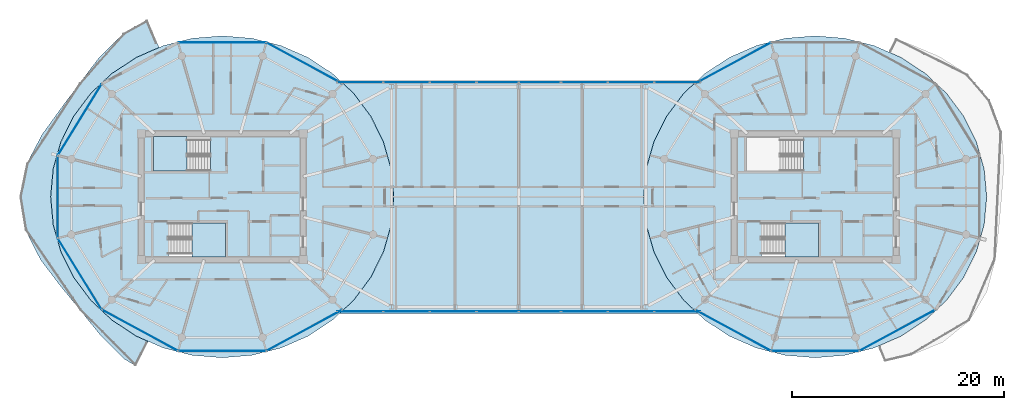
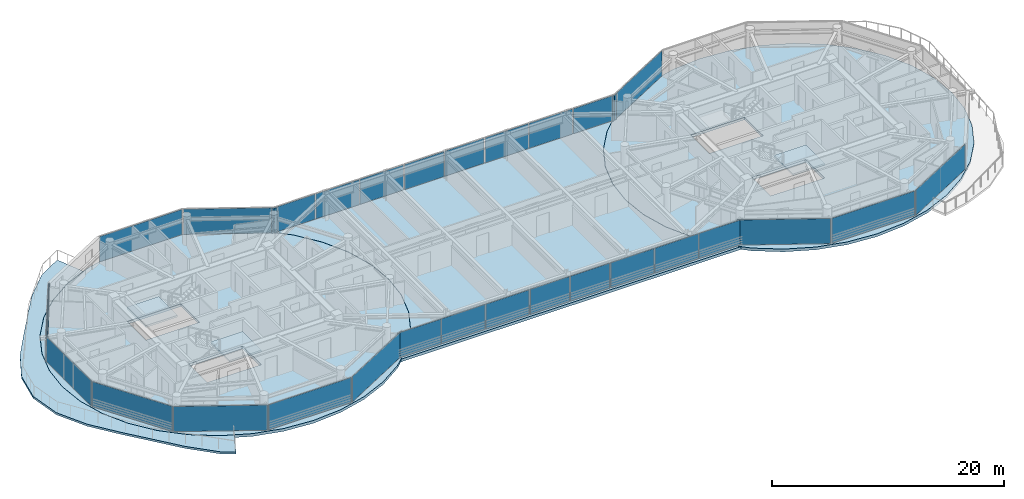
# One storey, part 12 of 23: 28 plates, 7 slabs, 21 elements without a shape of their own.
"""IFC4 building model written with IfcOpenShell, lengths in metres."""

from ifc_helpers import new_model, si_unit, direction, frame, origin, origin_2d, place, context, subcontext, project, spatial, polyline, rectangle, outline, extrude, source, transform, mapped, material, layer, layer_set, type_object, type_shapes, element, aggregate, save


model = new_model("IFC4")

# Units and contexts
model_context = context("Model", 3, precision=1e-05, world=origin(), true_north=direction((0.0, 1.0)))
body_context = subcontext(model_context, "Body", "Model", "MODEL_VIEW")
ifc_project = project(units=[si_unit("LENGTHUNIT", "METRE"), si_unit("AREAUNIT", "SQUARE_METRE"), si_unit("VOLUMEUNIT", "CUBIC_METRE"), si_unit("PLANEANGLEUNIT", "RADIAN"), si_unit("MASSUNIT", "GRAM", prefix="KILO")], contexts=[model_context])

# Site, building, storey
site_placement = place(None, origin())
site = spatial("IfcSite", under=ifc_project, at=site_placement, CompositionType="ELEMENT")
building_placement = place(site_placement, origin())
building = spatial("IfcBuilding", under=site, at=building_placement, Name="Norrkilde Senior Care Towers", CompositionType="ELEMENT")
storey_placement = place(building_placement, frame((0.0, 0.0, 207.800048828125)))
storey = spatial("IfcBuildingStorey", under=building, at=storey_placement, Name="L64", CompositionType="ELEMENT", Elevation=207.800048828125)

# Slabs
ifc_material_1 = material(Name="Concrete C50/60", Category="concrete")
ifc_layer_1 = layer(ifc_material_1, 0.2900390625)
ifc_layer_set_1 = layer_set([ifc_layer_1], Name="Concrete C50/60")
slab_type_1 = type_object("IfcSlabType", Name="Bridge Floor Slab 290", PredefinedType="FLOOR", material=ifc_layer_set_1)
slab_1_placement = place(storey_placement, frame((0.0, 0.0, -0.2900390625)))
element("IfcSlab", 1, at=slab_1_placement, inside=storey, type_object=slab_type_1, Name="L64 Drum W Structural Floor Slab", PredefinedType="FLOOR", context=body_context, shape_type="SweptSolid", body=[
    extrude(outline(polyline([(-12.777099609375, -5.19873046875), (-13.970458984375, -7.60009765625), (-15.590087890625, -9.770263671875), (-17.5869140625, -11.643798828125), (-19.89990234375, -13.16357421875), (-22.459228515625, -14.283447265625), (-25.18701171875, -14.968994140625), (-28.0, -15.199951171875), (-30.81298828125, -14.968994140625), (-33.540771484375, -14.283447265625), (-36.10009765625, -13.16357421875), (-38.4130859375, -11.643798828125), (-40.409912109375, -9.770263671875), (-42.029541015625, -7.60009765625), (-43.222900390625, -5.19873046875), (-43.953857421875, -2.639404296875), (-44.199951171875, 0.0), (-43.953857421875, 2.639404296875), (-43.222900390625, 5.19873046875), (-42.029541015625, 7.60009765625), (-40.409912109375, 9.770263671875), (-38.4130859375, 11.643798828125), (-36.10009765625, 13.16357421875), (-33.540771484375, 14.283447265625), (-30.81298828125, 14.968994140625), (-28.0, 15.199951171875), (-25.18701171875, 14.968994140625), (-22.459228515625, 14.283447265625), (-19.89990234375, 13.16357421875), (-17.5869140625, 11.643798828125), (-15.590087890625, 9.770263671875), (-13.970458984375, 7.60009765625), (-12.777099609375, 5.19873046875), (-12.046142578125, 2.639404296875), (-11.800048828125, 0.0), (-12.046142578125, -2.639404296875), (-12.777099609375, -5.19873046875)]), holes=[polyline([(-34.48193359375, 2.468017578125), (-29.117919921875, 2.468017578125), (-29.117919921875, 5.68994140625), (-34.48193359375, 5.68994140625), (-34.48193359375, 2.468017578125)]), polyline([(-27.718017578125, -5.68994140625), (-27.718017578125, -2.468017578125), (-33.08203125, -2.468017578125), (-33.08203125, -5.68994140625), (-27.718017578125, -5.68994140625)])]), origin(), (0.0, 0.0, 1.0), 0.2900390625),
])
slab_2_placement = place(storey_placement, frame((0.0, 0.0, -0.2900390625)))
element("IfcSlab", 2, at=slab_2_placement, inside=storey, type_object=slab_type_1, Name="L64 Drum E Structural Floor Slab", PredefinedType="FLOOR", context=body_context, shape_type="SweptSolid", body=[
    extrude(outline(polyline([(43.222900390625, -5.19873046875), (42.029541015625, -7.60009765625), (40.409912109375, -9.770263671875), (38.4130859375, -11.643798828125), (36.10009765625, -13.16357421875), (33.540771484375, -14.283447265625), (30.81298828125, -14.968994140625), (28.0, -15.199951171875), (25.18701171875, -14.968994140625), (22.459228515625, -14.283447265625), (19.89990234375, -13.16357421875), (17.5869140625, -11.643798828125), (15.590087890625, -9.770263671875), (13.970458984375, -7.60009765625), (12.777099609375, -5.19873046875), (12.046142578125, -2.639404296875), (11.800048828125, 0.0), (12.046142578125, 2.639404296875), (12.777099609375, 5.19873046875), (13.970458984375, 7.60009765625), (15.590087890625, 9.770263671875), (17.5869140625, 11.643798828125), (19.89990234375, 13.16357421875), (22.459228515625, 14.283447265625), (25.18701171875, 14.968994140625), (28.0, 15.199951171875), (30.81298828125, 14.968994140625), (33.540771484375, 14.283447265625), (36.10009765625, 13.16357421875), (38.4130859375, 11.643798828125), (40.409912109375, 9.770263671875), (42.029541015625, 7.60009765625), (43.222900390625, 5.19873046875), (43.953857421875, 2.639404296875), (44.199951171875, 0.0), (43.953857421875, -2.639404296875), (43.222900390625, -5.19873046875)]), holes=[polyline([(21.51806640625, 2.468017578125), (26.882080078125, 2.468017578125), (26.882080078125, 5.68994140625), (21.51806640625, 5.68994140625), (21.51806640625, 2.468017578125)]), polyline([(28.281982421875, -5.68994140625), (28.281982421875, -2.468017578125), (22.91796875, -2.468017578125), (22.91796875, -5.68994140625), (28.281982421875, -5.68994140625)])]), origin(), (0.0, 0.0, 1.0), 0.2900390625),
])
slab_3_placement = place(storey_placement, frame((0.0, 0.0, -0.2900390625)))
element("IfcSlab", 3, at=slab_3_placement, inside=storey, type_object=slab_type_1, Name="L64 Sky-Gate Bridge Floor Slab", PredefinedType="FLOOR", context=body_context, shape_type="SweptSolid", body=[
    extrude(outline(polyline([(16.893310546875, 11.0), (15.586669921875, 9.77392578125), (15.58642578125, 9.773681640625), (15.586181640625, 9.7734375), (13.96630859375, 7.60302734375), (13.966064453125, 7.6025390625), (13.9658203125, 7.602294921875), (12.7724609375, 5.200927734375), (12.772216796875, 5.200439453125), (12.772216796875, 5.2001953125), (12.041259765625, 2.640869140625), (12.041259765625, 2.640380859375), (12.041015625, 2.639892578125), (11.794921875, 0.00048828125), (11.794921875, 0.0), (11.794921875, -0.00048828125), (12.041015625, -2.639892578125), (12.041259765625, -2.640380859375), (12.041259765625, -2.640869140625), (12.772216796875, -5.2001953125), (12.772216796875, -5.200439453125), (12.7724609375, -5.200927734375), (13.9658203125, -7.602294921875), (13.966064453125, -7.6025390625), (13.96630859375, -7.60302734375), (15.586181640625, -9.7734375), (15.58642578125, -9.773681640625), (15.586669921875, -9.77392578125), (16.893310546875, -11.0), (-16.893310546875, -11.0), (-15.586669921875, -9.77392578125), (-15.58642578125, -9.773681640625), (-15.586181640625, -9.7734375), (-13.96630859375, -7.60302734375), (-13.966064453125, -7.6025390625), (-13.9658203125, -7.602294921875), (-12.7724609375, -5.200927734375), (-12.772216796875, -5.200439453125), (-12.772216796875, -5.2001953125), (-12.041259765625, -2.640869140625), (-12.041259765625, -2.640380859375), (-12.041015625, -2.639892578125), (-11.794921875, -0.00048828125), (-11.794921875, 0.0), (-11.794921875, 0.00048828125), (-12.041015625, 2.639892578125), (-12.041259765625, 2.640380859375), (-12.041259765625, 2.640869140625), (-12.772216796875, 5.2001953125), (-12.772216796875, 5.200439453125), (-12.7724609375, 5.200927734375), (-13.9658203125, 7.602294921875), (-13.966064453125, 7.6025390625), (-13.96630859375, 7.60302734375), (-15.586181640625, 9.7734375), (-15.58642578125, 9.773681640625), (-15.586669921875, 9.77392578125), (-16.893310546875, 11.0), (16.893310546875, 11.0)])), origin(), (0.0, 0.0, 1.0), 0.2900390625),
])
ifc_layer_2 = layer(ifc_material_1, 0.215087890625)
ifc_layer_set_2 = layer_set([ifc_layer_2], Name="Concrete C50/60")
slab_type_2 = type_object("IfcSlabType", Name="Sinusoidal Balcony Ribbon Slab 215", PredefinedType="FLOOR", material=ifc_layer_set_2)
slab_4_placement = place(storey_placement, frame((0.0, 0.0, -0.215087890625)))
element("IfcSlab", 4, at=slab_4_placement, inside=storey, type_object=slab_type_2, Name="L64 Drum W Swirling Senior Balcony 1", PredefinedType="FLOOR", context=body_context, shape_type="SweptSolid", body=[
    extrude(outline(polyline([(-41.433349609375, -10.685546875), (-43.305419921875, -8.385009765625), (-45.15380859375, -5.94775390625), (-46.59033203125, -3.135009765625), (-47.095703125, 0.0), (-46.46826171875, 3.112060546875), (-45.005126953125, 5.889892578125), (-43.236328125, 8.342529296875), (-41.474609375, 10.72265625), (-39.611572265625, 13.166259765625), (-37.3291015625, 15.4326171875), (-35.064697265625, 16.69775390625), (-33.966552734375, 14.1025390625), (-36.1025390625, 13.16796875), (-38.416259765625, 11.647705078125), (-40.413818359375, 9.773681640625), (-42.033935546875, 7.6025390625), (-43.227783203125, 5.200439453125), (-43.958740234375, 2.640380859375), (-44.205078125, 0.0), (-43.958740234375, -2.640380859375), (-43.227783203125, -5.200439453125), (-42.033935546875, -7.6025390625), (-40.413818359375, -9.773681640625), (-38.416259765625, -11.647705078125), (-36.1025390625, -13.16796875), (-34.976806640625, -13.660400390625), (-36.15966796875, -15.97607421875), (-37.26220703125, -15.309326171875), (-39.517578125, -13.046630859375), (-41.433349609375, -10.685546875)])), origin(), (0.0, 0.0, 1.0), 0.215087890625),
])

# Stair, slab
ifc_material_2 = material(Name="Concrete C45/55", Category="concrete")
stair_type = type_object("IfcStairType", Name="Core Protected Dogleg Stair Typical 3050", PredefinedType="HALF_TURN_STAIR", material=ifc_material_2)
stair_1_placement = place(storey_placement, origin())
stair_1 = element("IfcStair", 5, at=stair_1_placement, inside=storey, type_object=stair_type, Name="L64 Protected Core Stair W1", PredefinedType="HALF_TURN_STAIR")
ifc_layer_3 = layer(ifc_material_2, 0.199951171875)
ifc_layer_set_3 = layer_set([ifc_layer_3], Name="Concrete C45/55")
slab_type_3 = type_object("IfcSlabType", Name="Stair Landing Slab 200", PredefinedType="LANDING", material=ifc_layer_set_3)
slab_5_placement = place(storey_placement, frame((0.0, 0.0, 1.324951171875)))
slab_5 = element("IfcSlab", 6, at=slab_5_placement, type_object=slab_type_3, Name="ST-W1 landing 1", PredefinedType="LANDING", context=body_context, shape_type="SweptSolid", body=[
    extrude(outline(polyline([(-31.340087890625, 5.68994140625), (-34.5, 5.68994140625), (-34.5, 2.449951171875), (-31.340087890625, 2.449951171875), (-31.340087890625, 5.68994140625)])), origin(), (0.0, 0.0, 1.0), 0.199951171875),
])
aggregate(stair_1, [slab_5])

stair_2_placement = place(storey_placement, origin())
stair_2 = element("IfcStair", 7, at=stair_2_placement, inside=storey, type_object=stair_type, Name="L64 Protected Core Stair W2", PredefinedType="HALF_TURN_STAIR")
slab_6_placement = place(storey_placement, frame((0.0, 0.0, 1.324951171875)))
slab_6 = element("IfcSlab", 8, at=slab_6_placement, type_object=slab_type_3, Name="ST-W2 landing 1", PredefinedType="LANDING", context=body_context, shape_type="SweptSolid", body=[
    extrude(outline(polyline([(-30.860107421875, -5.68994140625), (-27.699951171875, -5.68994140625), (-27.699951171875, -2.449951171875), (-30.860107421875, -2.449951171875), (-30.860107421875, -5.68994140625)])), origin(), (0.0, 0.0, 1.0), 0.199951171875),
])
aggregate(stair_2, [slab_6])

stair_3_placement = place(storey_placement, origin())
stair_3 = element("IfcStair", 9, at=stair_3_placement, inside=storey, type_object=stair_type, Name="L64 Protected Core Stair E2", PredefinedType="HALF_TURN_STAIR")
slab_7_placement = place(storey_placement, frame((0.0, 0.0, 1.324951171875)))
slab_7 = element("IfcSlab", 10, at=slab_7_placement, type_object=slab_type_3, Name="ST-E2 landing 1", PredefinedType="LANDING", context=body_context, shape_type="SweptSolid", body=[
    extrude(outline(polyline([(25.139892578125, -5.68994140625), (28.300048828125, -5.68994140625), (28.300048828125, -2.449951171875), (25.139892578125, -2.449951171875), (25.139892578125, -5.68994140625)])), origin(), (0.0, 0.0, 1.0), 0.199951171875),
])
aggregate(stair_3, [slab_7])

# Curtain wall, plate
ifc_material_3 = material(Name="Triple Low-E Insulated Glazing", Category="glass")
ifc_layer_4 = layer(ifc_material_3, 0.18505859375)
ifc_layer_set_4 = layer_set([ifc_layer_4], Name="Triple Low-E Insulated Glazing")
curtain_wall_type_1 = type_object("IfcCurtainWallType", Name="CW6 Zone 4 Crown Pavilion Curtain Wall", PredefinedType="NOTDEFINED", material=ifc_layer_set_4)
curtain_wall_1_placement = place(storey_placement, origin())
curtain_wall_1 = element("IfcCurtainWall", 11, at=curtain_wall_1_placement, inside=storey, type_object=curtain_wall_type_1, Name="L64 Drum W Curtain Wall 04", PredefinedType="NOTDEFINED")
ifc_layer_5 = layer(ifc_material_3, 0.035888671875)
ifc_layer_set_5 = layer_set([ifc_layer_5], Name="Triple Low-E Insulated Glazing")
plate_type = type_object("IfcPlateType", Name="Triple Low-E Vision Curtain Panel 36", PredefinedType="CURTAIN_PANEL", material=ifc_layer_set_5)
shared_shape_1 = source(origin(), body_context, "Body", "SweptSolid", [
    extrude(rectangle(XDim=7.80859375, YDim=0.035888671875, at=origin_2d()), origin(), (0.0, 0.0, 1.0), 2.639892578125),
])
plate_1_placement = place(storey_placement, frame((-41.451171875, 7.282958984375, 0.06005859375), z_axis=(0.0, 0.0, 1.0), x_axis=(0.524252726748, 0.851562727283, 0.0)))
plate_1 = element("IfcPlate", 12, at=plate_1_placement, type_object=plate_type, Name="CW-6 panel 1.1", PredefinedType="CURTAIN_PANEL", context=body_context, shape_type="MappedRepresentation", body=[
    mapped(shared_shape_1, transform((0.0, 0.0, 0.0), x_axis=(1.0, 0.0, 0.0), y_axis=(0.0, 1.0, 0.0), z_axis=(0.0, 0.0, 1.0), scale=1.0)),
])
aggregate(curtain_wall_1, [plate_1])

curtain_wall_2_placement = place(storey_placement, origin())
curtain_wall_2 = element("IfcCurtainWall", 13, at=curtain_wall_2_placement, inside=storey, type_object=curtain_wall_type_1, Name="L64 Drum W Curtain Wall 06", PredefinedType="NOTDEFINED")
plate_2_placement = place(storey_placement, frame((-41.451171875, -7.282958984375, 0.06005859375), z_axis=(0.0, 0.0, 1.0), x_axis=(-0.524252726748, 0.851562727283, 0.0)))
plate_2 = element("IfcPlate", 14, at=plate_2_placement, type_object=plate_type, Name="CW-6 panel 1.1", PredefinedType="CURTAIN_PANEL", context=body_context, shape_type="MappedRepresentation", body=[
    mapped(shared_shape_1, transform((0.0, 0.0, 0.0), x_axis=(1.0, 0.0, 0.0), y_axis=(0.0, 1.0, 0.0), z_axis=(0.0, 0.0, 1.0), scale=1.0)),
])
aggregate(curtain_wall_2, [plate_2])

curtain_wall_3_placement = place(storey_placement, origin())
curtain_wall_3 = element("IfcCurtainWall", 15, at=curtain_wall_3_placement, inside=storey, type_object=curtain_wall_type_1, Name="L64 Drum W Curtain Wall 01", PredefinedType="NOTDEFINED")
shared_shape_2 = source(origin(), body_context, "Body", "SweptSolid", [
    extrude(rectangle(XDim=8.0673828125, YDim=0.035888671875, at=origin_2d()), origin(), (0.0, 0.0, 1.0), 2.639892578125),
])
plate_3_placement = place(storey_placement, frame((-20.23388671875, 12.61474609375, 0.06005859375), z_axis=(0.0, 0.0, 1.0), x_axis=(0.879373455772, -0.476132676136, 0.0)))
plate_3 = element("IfcPlate", 16, at=plate_3_placement, type_object=plate_type, Name="CW-6 panel 1.1", PredefinedType="CURTAIN_PANEL", context=body_context, shape_type="MappedRepresentation", body=[
    mapped(shared_shape_2, transform((0.0, 0.0, 0.0), x_axis=(1.0, 0.0, 0.0), y_axis=(0.0, 1.0, 0.0), z_axis=(0.0, 0.0, 1.0), scale=1.0)),
])
aggregate(curtain_wall_3, [plate_3])

curtain_wall_4_placement = place(storey_placement, origin())
curtain_wall_4 = element("IfcCurtainWall", 17, at=curtain_wall_4_placement, inside=storey, type_object=curtain_wall_type_1, Name="L64 Drum W Curtain Wall 07", PredefinedType="NOTDEFINED")
plate_4_placement = place(storey_placement, frame((-35.76611328125, -12.61474609375, 0.06005859375), z_axis=(0.0, 0.0, 1.0), x_axis=(-0.879373455772, 0.476132676136, 0.0)))
plate_4 = element("IfcPlate", 18, at=plate_4_placement, type_object=plate_type, Name="CW-6 panel 1.1", PredefinedType="CURTAIN_PANEL", context=body_context, shape_type="MappedRepresentation", body=[
    mapped(shared_shape_2, transform((0.0, 0.0, 0.0), x_axis=(1.0, 0.0, 0.0), y_axis=(0.0, 1.0, 0.0), z_axis=(0.0, 0.0, 1.0), scale=1.0)),
])
aggregate(curtain_wall_4, [plate_4])

curtain_wall_5_placement = place(storey_placement, origin())
curtain_wall_5 = element("IfcCurtainWall", 19, at=curtain_wall_5_placement, inside=storey, type_object=curtain_wall_type_1, Name="L64 Drum W Curtain Wall 09", PredefinedType="NOTDEFINED")
plate_5_placement = place(storey_placement, frame((-20.23388671875, -12.61474609375, 0.06005859375), z_axis=(0.0, 0.0, 1.0), x_axis=(-0.879373455772, -0.476132676136, 0.0)))
plate_5 = element("IfcPlate", 20, at=plate_5_placement, type_object=plate_type, Name="CW-6 panel 1.1", PredefinedType="CURTAIN_PANEL", context=body_context, shape_type="MappedRepresentation", body=[
    mapped(shared_shape_2, transform((0.0, 0.0, 0.0), x_axis=(1.0, 0.0, 0.0), y_axis=(0.0, 1.0, 0.0), z_axis=(0.0, 0.0, 1.0), scale=1.0)),
])
aggregate(curtain_wall_5, [plate_5])

curtain_wall_6_placement = place(storey_placement, origin())
curtain_wall_6 = element("IfcCurtainWall", 21, at=curtain_wall_6_placement, inside=storey, type_object=curtain_wall_type_1, Name="L64 Drum E Curtain Wall 03", PredefinedType="NOTDEFINED")
plate_6_placement = place(storey_placement, frame((20.23388671875, 12.61474609375, 0.06005859375), z_axis=(0.0, 0.0, 1.0), x_axis=(0.879373455772, 0.476132676136, 0.0)))
plate_6 = element("IfcPlate", 22, at=plate_6_placement, type_object=plate_type, Name="CW-6 panel 1.1", PredefinedType="CURTAIN_PANEL", context=body_context, shape_type="MappedRepresentation", body=[
    mapped(shared_shape_2, transform((0.0, 0.0, 0.0), x_axis=(1.0, 0.0, 0.0), y_axis=(0.0, 1.0, 0.0), z_axis=(0.0, 0.0, 1.0), scale=1.0)),
])
aggregate(curtain_wall_6, [plate_6])

curtain_wall_7_placement = place(storey_placement, origin())
curtain_wall_7 = element("IfcCurtainWall", 23, at=curtain_wall_7_placement, inside=storey, type_object=curtain_wall_type_1, Name="L64 Drum E Curtain Wall 07", PredefinedType="NOTDEFINED")
plate_7_placement = place(storey_placement, frame((20.23388671875, -12.61474609375, 0.06005859375), z_axis=(0.0, 0.0, 1.0), x_axis=(-0.879373455772, 0.476132676136, 0.0)))
plate_7 = element("IfcPlate", 24, at=plate_7_placement, type_object=plate_type, Name="CW-6 panel 1.1", PredefinedType="CURTAIN_PANEL", context=body_context, shape_type="MappedRepresentation", body=[
    mapped(shared_shape_2, transform((0.0, 0.0, 0.0), x_axis=(1.0, 0.0, 0.0), y_axis=(0.0, 1.0, 0.0), z_axis=(0.0, 0.0, 1.0), scale=1.0)),
])
aggregate(curtain_wall_7, [plate_7])

curtain_wall_8_placement = place(storey_placement, origin())
curtain_wall_8 = element("IfcCurtainWall", 25, at=curtain_wall_8_placement, inside=storey, type_object=curtain_wall_type_1, Name="L64 Drum E Curtain Wall 09", PredefinedType="NOTDEFINED")
plate_8_placement = place(storey_placement, frame((35.76611328125, -12.61474609375, 0.06005859375), z_axis=(0.0, 0.0, 1.0), x_axis=(-0.879373455772, -0.476132676136, 0.0)))
plate_8 = element("IfcPlate", 26, at=plate_8_placement, type_object=plate_type, Name="CW-6 panel 1.1", PredefinedType="CURTAIN_PANEL", context=body_context, shape_type="MappedRepresentation", body=[
    mapped(shared_shape_2, transform((0.0, 0.0, 0.0), x_axis=(1.0, 0.0, 0.0), y_axis=(0.0, 1.0, 0.0), z_axis=(0.0, 0.0, 1.0), scale=1.0)),
])
aggregate(curtain_wall_8, [plate_8])

curtain_wall_9_placement = place(storey_placement, origin())
curtain_wall_9 = element("IfcCurtainWall", 27, at=curtain_wall_9_placement, inside=storey, type_object=curtain_wall_type_1, Name="L64 Drum W Curtain Wall 02", PredefinedType="NOTDEFINED")
shared_shape_3 = source(origin(), body_context, "Body", "SweptSolid", [
    extrude(rectangle(XDim=8.193603515625, YDim=0.035888671875, at=origin_2d()), origin(), (0.0, 0.0, 1.0), 2.639892578125),
])
plate_9_placement = place(storey_placement, frame((-28.0, 14.566162109375, 0.06005859375), z_axis=(0.0, 0.0, 1.0), x_axis=(1.0, 0.0, 0.0)))
plate_9 = element("IfcPlate", 28, at=plate_9_placement, type_object=plate_type, Name="CW-6 panel 1.1", PredefinedType="CURTAIN_PANEL", context=body_context, shape_type="MappedRepresentation", body=[
    mapped(shared_shape_3, transform((0.0, 0.0, 0.0), x_axis=(1.0, 0.0, 0.0), y_axis=(0.0, 1.0, 0.0), z_axis=(0.0, 0.0, 1.0), scale=1.0)),
])
aggregate(curtain_wall_9, [plate_9])

curtain_wall_10_placement = place(storey_placement, origin())
curtain_wall_10 = element("IfcCurtainWall", 29, at=curtain_wall_10_placement, inside=storey, type_object=curtain_wall_type_1, Name="L64 Drum W Curtain Wall 08", PredefinedType="NOTDEFINED")
plate_10_placement = place(storey_placement, frame((-28.0, -14.566162109375, 0.06005859375), z_axis=(0.0, 0.0, 1.0), x_axis=(-1.0, 0.0, 0.0)))
plate_10 = element("IfcPlate", 30, at=plate_10_placement, type_object=plate_type, Name="CW-6 panel 1.1", PredefinedType="CURTAIN_PANEL", context=body_context, shape_type="MappedRepresentation", body=[
    mapped(shared_shape_3, transform((0.0, 0.0, 0.0), x_axis=(1.0, 0.0, 0.0), y_axis=(0.0, 1.0, 0.0), z_axis=(0.0, 0.0, 1.0), scale=1.0)),
])
aggregate(curtain_wall_10, [plate_10])

curtain_wall_11_placement = place(storey_placement, origin())
curtain_wall_11 = element("IfcCurtainWall", 31, at=curtain_wall_11_placement, inside=storey, type_object=curtain_wall_type_1, Name="L64 Drum E Curtain Wall 08", PredefinedType="NOTDEFINED")
plate_11_placement = place(storey_placement, frame((28.0, -14.566162109375, 0.06005859375), z_axis=(0.0, 0.0, 1.0), x_axis=(-1.0, 0.0, 0.0)))
plate_11 = element("IfcPlate", 32, at=plate_11_placement, type_object=plate_type, Name="CW-6 panel 1.1", PredefinedType="CURTAIN_PANEL", context=body_context, shape_type="MappedRepresentation", body=[
    mapped(shared_shape_3, transform((0.0, 0.0, 0.0), x_axis=(1.0, 0.0, 0.0), y_axis=(0.0, 1.0, 0.0), z_axis=(0.0, 0.0, 1.0), scale=1.0)),
])
aggregate(curtain_wall_11, [plate_11])

curtain_wall_12_placement = place(storey_placement, origin())
curtain_wall_12 = element("IfcCurtainWall", 33, at=curtain_wall_12_placement, inside=storey, type_object=curtain_wall_type_1, Name="L64 Drum W Curtain Wall 05", PredefinedType="NOTDEFINED")
shared_shape_4 = source(origin(), body_context, "Body", "SweptSolid", [
    extrude(rectangle(XDim=7.676025390625, YDim=0.035888671875, at=origin_2d()), origin(), (0.0, 0.0, 1.0), 2.639892578125),
])
plate_12_placement = place(storey_placement, frame((-43.531982421875, 0.0, 0.06005859375), z_axis=(0.0, 0.0, 1.0), x_axis=(0.0, 1.0, 0.0)))
plate_12 = element("IfcPlate", 34, at=plate_12_placement, type_object=plate_type, Name="CW-6 panel 1.1", PredefinedType="CURTAIN_PANEL", context=body_context, shape_type="MappedRepresentation", body=[
    mapped(shared_shape_4, transform((0.0, 0.0, 0.0), x_axis=(1.0, 0.0, 0.0), y_axis=(0.0, 1.0, 0.0), z_axis=(0.0, 0.0, 1.0), scale=1.0)),
])
aggregate(curtain_wall_12, [plate_12])

# Curtain wall, plates
ifc_layer_6 = layer(ifc_material_3, 0.2099609375)
ifc_layer_set_6 = layer_set([ifc_layer_6], Name="Triple Low-E Insulated Glazing")
curtain_wall_type_2 = type_object("IfcCurtainWallType", Name="CW5 Sky-Gate Bridge Curtain Wall", PredefinedType="NOTDEFINED", material=ifc_layer_set_6)
curtain_wall_13_placement = place(storey_placement, origin())
curtain_wall_13 = element("IfcCurtainWall", 35, at=curtain_wall_13_placement, inside=storey, type_object=curtain_wall_type_2, Name="L64 Sky-Gate Bridge North Curtain Wall 1", PredefinedType="NOTDEFINED")
shared_shape_5 = source(origin(), body_context, "Body", "SweptSolid", [
    extrude(rectangle(XDim=4.294921875, YDim=0.035888671875, at=origin_2d()), origin(), (0.0, 0.0, 1.0), 2.6298828125),
])
plate_13_placement = place(storey_placement, frame((-14.982421875, 10.820068359375, 0.06494140625), z_axis=(0.0, 0.0, 1.0), x_axis=(1.0, 0.0, 0.0)))
plate_13 = element("IfcPlate", 36, at=plate_13_placement, type_object=plate_type, Name="CW-5 panel 1.1", PredefinedType="CURTAIN_PANEL", context=body_context, shape_type="MappedRepresentation", body=[
    mapped(shared_shape_5, transform((0.0, 0.0, 0.0), x_axis=(1.0, 0.0, 0.0), y_axis=(0.0, 1.0, 0.0), z_axis=(0.0, 0.0, 1.0), scale=1.0)),
])
plate_14_placement = place(storey_placement, frame((-6.217529296875, 10.820068359375, 0.06494140625), z_axis=(0.0, 0.0, 1.0), x_axis=(1.0, 0.0, 0.0)))
plate_14 = element("IfcPlate", 37, at=plate_14_placement, type_object=plate_type, Name="CW-5 panel 3.1", PredefinedType="CURTAIN_PANEL", context=body_context, shape_type="MappedRepresentation", body=[
    mapped(shared_shape_5, transform((0.0, 0.0, 0.0), x_axis=(1.0, 0.0, 0.0), y_axis=(0.0, 1.0, 0.0), z_axis=(0.0, 0.0, 1.0), scale=1.0)),
])

curtain_wall_14_placement = place(storey_placement, origin())
curtain_wall_14 = element("IfcCurtainWall", 38, at=curtain_wall_14_placement, inside=storey, type_object=curtain_wall_type_2, Name="L64 Sky-Gate Bridge North Curtain Wall 3", PredefinedType="NOTDEFINED")
plate_15_placement = place(storey_placement, frame((6.217529296875, 10.820068359375, 0.06494140625), z_axis=(0.0, 0.0, 1.0), x_axis=(1.0, 0.0, 0.0)))
plate_15 = element("IfcPlate", 39, at=plate_15_placement, type_object=plate_type, Name="CW-5 panel 1.1", PredefinedType="CURTAIN_PANEL", context=body_context, shape_type="MappedRepresentation", body=[
    mapped(shared_shape_5, transform((0.0, 0.0, 0.0), x_axis=(1.0, 0.0, 0.0), y_axis=(0.0, 1.0, 0.0), z_axis=(0.0, 0.0, 1.0), scale=1.0)),
])
plate_16_placement = place(storey_placement, frame((14.982421875, 10.820068359375, 0.06494140625), z_axis=(0.0, 0.0, 1.0), x_axis=(1.0, 0.0, 0.0)))
plate_16 = element("IfcPlate", 40, at=plate_16_placement, type_object=plate_type, Name="CW-5 panel 3.1", PredefinedType="CURTAIN_PANEL", context=body_context, shape_type="MappedRepresentation", body=[
    mapped(shared_shape_5, transform((0.0, 0.0, 0.0), x_axis=(1.0, 0.0, 0.0), y_axis=(0.0, 1.0, 0.0), z_axis=(0.0, 0.0, 1.0), scale=1.0)),
])

curtain_wall_15_placement = place(storey_placement, origin())
curtain_wall_15 = element("IfcCurtainWall", 41, at=curtain_wall_15_placement, inside=storey, type_object=curtain_wall_type_2, Name="L64 Sky-Gate Bridge South Curtain Wall 1", PredefinedType="NOTDEFINED")
plate_17_placement = place(storey_placement, frame((14.982421875, -10.820068359375, 0.06494140625), z_axis=(0.0, 0.0, 1.0), x_axis=(-1.0, 0.0, 0.0)))
plate_17 = element("IfcPlate", 42, at=plate_17_placement, type_object=plate_type, Name="CW-5 panel 1.1", PredefinedType="CURTAIN_PANEL", context=body_context, shape_type="MappedRepresentation", body=[
    mapped(shared_shape_5, transform((0.0, 0.0, 0.0), x_axis=(1.0, 0.0, 0.0), y_axis=(0.0, 1.0, 0.0), z_axis=(0.0, 0.0, 1.0), scale=1.0)),
])
plate_18_placement = place(storey_placement, frame((6.217529296875, -10.820068359375, 0.06494140625), z_axis=(0.0, 0.0, 1.0), x_axis=(-1.0, 0.0, 0.0)))
plate_18 = element("IfcPlate", 43, at=plate_18_placement, type_object=plate_type, Name="CW-5 panel 3.1", PredefinedType="CURTAIN_PANEL", context=body_context, shape_type="MappedRepresentation", body=[
    mapped(shared_shape_5, transform((0.0, 0.0, 0.0), x_axis=(1.0, 0.0, 0.0), y_axis=(0.0, 1.0, 0.0), z_axis=(0.0, 0.0, 1.0), scale=1.0)),
])

curtain_wall_16_placement = place(storey_placement, origin())
curtain_wall_16 = element("IfcCurtainWall", 44, at=curtain_wall_16_placement, inside=storey, type_object=curtain_wall_type_2, Name="L64 Sky-Gate Bridge South Curtain Wall 3", PredefinedType="NOTDEFINED")
plate_19_placement = place(storey_placement, frame((-6.217529296875, -10.820068359375, 0.06494140625), z_axis=(0.0, 0.0, 1.0), x_axis=(-1.0, 0.0, 0.0)))
plate_19 = element("IfcPlate", 45, at=plate_19_placement, type_object=plate_type, Name="CW-5 panel 1.1", PredefinedType="CURTAIN_PANEL", context=body_context, shape_type="MappedRepresentation", body=[
    mapped(shared_shape_5, transform((0.0, 0.0, 0.0), x_axis=(1.0, 0.0, 0.0), y_axis=(0.0, 1.0, 0.0), z_axis=(0.0, 0.0, 1.0), scale=1.0)),
])
plate_20_placement = place(storey_placement, frame((-14.982421875, -10.820068359375, 0.06494140625), z_axis=(0.0, 0.0, 1.0), x_axis=(-1.0, 0.0, 0.0)))
plate_20 = element("IfcPlate", 46, at=plate_20_placement, type_object=plate_type, Name="CW-5 panel 3.1", PredefinedType="CURTAIN_PANEL", context=body_context, shape_type="MappedRepresentation", body=[
    mapped(shared_shape_5, transform((0.0, 0.0, 0.0), x_axis=(1.0, 0.0, 0.0), y_axis=(0.0, 1.0, 0.0), z_axis=(0.0, 0.0, 1.0), scale=1.0)),
])

# Plate
shared_shape_6 = source(origin(), body_context, "Body", "SweptSolid", [
    extrude(rectangle(XDim=4.330078125, YDim=0.035888671875, at=origin_2d()), origin(), (0.0, 0.0, 1.0), 2.6298828125),
])
plate_21_placement = place(storey_placement, frame((-10.60009765625, 10.820068359375, 0.06494140625), z_axis=(0.0, 0.0, 1.0), x_axis=(1.0, 0.0, 0.0)))
plate_21 = element("IfcPlate", 47, at=plate_21_placement, type_object=plate_type, Name="CW-5 panel 2.1", PredefinedType="CURTAIN_PANEL", context=body_context, shape_type="MappedRepresentation", body=[
    mapped(shared_shape_6, transform((0.0, 0.0, 0.0), x_axis=(1.0, 0.0, 0.0), y_axis=(0.0, 1.0, 0.0), z_axis=(0.0, 0.0, 1.0), scale=1.0)),
])

aggregate(curtain_wall_13, [plate_13, plate_21, plate_14])

plate_22_placement = place(storey_placement, frame((10.60009765625, 10.820068359375, 0.06494140625), z_axis=(0.0, 0.0, 1.0), x_axis=(1.0, 0.0, 0.0)))
plate_22 = element("IfcPlate", 48, at=plate_22_placement, type_object=plate_type, Name="CW-5 panel 2.1", PredefinedType="CURTAIN_PANEL", context=body_context, shape_type="MappedRepresentation", body=[
    mapped(shared_shape_6, transform((0.0, 0.0, 0.0), x_axis=(1.0, 0.0, 0.0), y_axis=(0.0, 1.0, 0.0), z_axis=(0.0, 0.0, 1.0), scale=1.0)),
])

aggregate(curtain_wall_14, [plate_15, plate_22, plate_16])

plate_23_placement = place(storey_placement, frame((10.60009765625, -10.820068359375, 0.06494140625), z_axis=(0.0, 0.0, 1.0), x_axis=(-1.0, 0.0, 0.0)))
plate_23 = element("IfcPlate", 49, at=plate_23_placement, type_object=plate_type, Name="CW-5 panel 2.1", PredefinedType="CURTAIN_PANEL", context=body_context, shape_type="MappedRepresentation", body=[
    mapped(shared_shape_6, transform((0.0, 0.0, 0.0), x_axis=(1.0, 0.0, 0.0), y_axis=(0.0, 1.0, 0.0), z_axis=(0.0, 0.0, 1.0), scale=1.0)),
])

aggregate(curtain_wall_15, [plate_17, plate_23, plate_18])

plate_24_placement = place(storey_placement, frame((-10.60009765625, -10.820068359375, 0.06494140625), z_axis=(0.0, 0.0, 1.0), x_axis=(-1.0, 0.0, 0.0)))
plate_24 = element("IfcPlate", 50, at=plate_24_placement, type_object=plate_type, Name="CW-5 panel 2.1", PredefinedType="CURTAIN_PANEL", context=body_context, shape_type="MappedRepresentation", body=[
    mapped(shared_shape_6, transform((0.0, 0.0, 0.0), x_axis=(1.0, 0.0, 0.0), y_axis=(0.0, 1.0, 0.0), z_axis=(0.0, 0.0, 1.0), scale=1.0)),
])

aggregate(curtain_wall_16, [plate_19, plate_24, plate_20])

# Curtain wall, plates
curtain_wall_17_placement = place(storey_placement, origin())
curtain_wall_17 = element("IfcCurtainWall", 51, at=curtain_wall_17_placement, inside=storey, type_object=curtain_wall_type_2, Name="L64 Sky-Gate Bridge North Curtain Wall 2", PredefinedType="NOTDEFINED")
shared_shape_7 = source(origin(), body_context, "Body", "SweptSolid", [
    extrude(rectangle(XDim=3.89501953125, YDim=0.035888671875, at=origin_2d()), origin(), (0.0, 0.0, 1.0), 2.6298828125),
])
type_shapes(plate_type, [shared_shape_1, shared_shape_2, shared_shape_3, shared_shape_4, shared_shape_5, shared_shape_6, shared_shape_7])
plate_25_placement = place(storey_placement, frame((-1.982421875, 10.820068359375, 0.06494140625), z_axis=(0.0, 0.0, 1.0), x_axis=(1.0, 0.0, 0.0)))
plate_25 = element("IfcPlate", 52, at=plate_25_placement, type_object=plate_type, Name="CW-5 panel 1.1", PredefinedType="CURTAIN_PANEL", context=body_context, shape_type="MappedRepresentation", body=[
    mapped(shared_shape_7, transform((0.0, 0.0, 0.0), x_axis=(1.0, 0.0, 0.0), y_axis=(0.0, 1.0, 0.0), z_axis=(0.0, 0.0, 1.0), scale=1.0)),
])
plate_26_placement = place(storey_placement, frame((1.982421875, 10.820068359375, 0.06494140625), z_axis=(0.0, 0.0, 1.0), x_axis=(1.0, 0.0, 0.0)))
plate_26 = element("IfcPlate", 53, at=plate_26_placement, type_object=plate_type, Name="CW-5 panel 2.1", PredefinedType="CURTAIN_PANEL", context=body_context, shape_type="MappedRepresentation", body=[
    mapped(shared_shape_7, transform((0.0, 0.0, 0.0), x_axis=(1.0, 0.0, 0.0), y_axis=(0.0, 1.0, 0.0), z_axis=(0.0, 0.0, 1.0), scale=1.0)),
])
aggregate(curtain_wall_17, [plate_25, plate_26])

curtain_wall_18_placement = place(storey_placement, origin())
curtain_wall_18 = element("IfcCurtainWall", 54, at=curtain_wall_18_placement, inside=storey, type_object=curtain_wall_type_2, Name="L64 Sky-Gate Bridge South Curtain Wall 2", PredefinedType="NOTDEFINED")
plate_27_placement = place(storey_placement, frame((1.982421875, -10.820068359375, 0.06494140625), z_axis=(0.0, 0.0, 1.0), x_axis=(-1.0, 0.0, 0.0)))
plate_27 = element("IfcPlate", 55, at=plate_27_placement, type_object=plate_type, Name="CW-5 panel 1.1", PredefinedType="CURTAIN_PANEL", context=body_context, shape_type="MappedRepresentation", body=[
    mapped(shared_shape_7, transform((0.0, 0.0, 0.0), x_axis=(1.0, 0.0, 0.0), y_axis=(0.0, 1.0, 0.0), z_axis=(0.0, 0.0, 1.0), scale=1.0)),
])
plate_28_placement = place(storey_placement, frame((-1.982421875, -10.820068359375, 0.06494140625), z_axis=(0.0, 0.0, 1.0), x_axis=(-1.0, 0.0, 0.0)))
plate_28 = element("IfcPlate", 56, at=plate_28_placement, type_object=plate_type, Name="CW-5 panel 2.1", PredefinedType="CURTAIN_PANEL", context=body_context, shape_type="MappedRepresentation", body=[
    mapped(shared_shape_7, transform((0.0, 0.0, 0.0), x_axis=(1.0, 0.0, 0.0), y_axis=(0.0, 1.0, 0.0), z_axis=(0.0, 0.0, 1.0), scale=1.0)),
])
aggregate(curtain_wall_18, [plate_27, plate_28])

save(model, "model.ifc")
